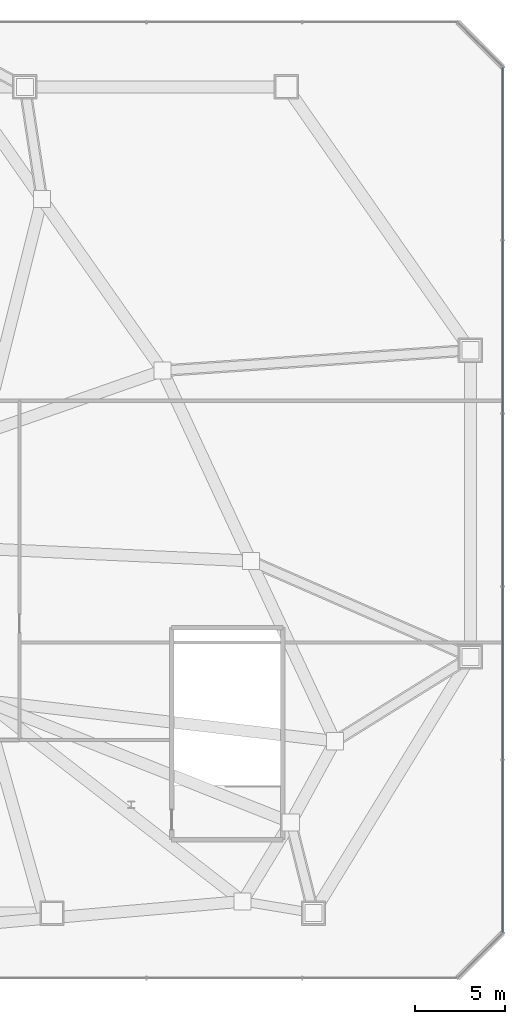
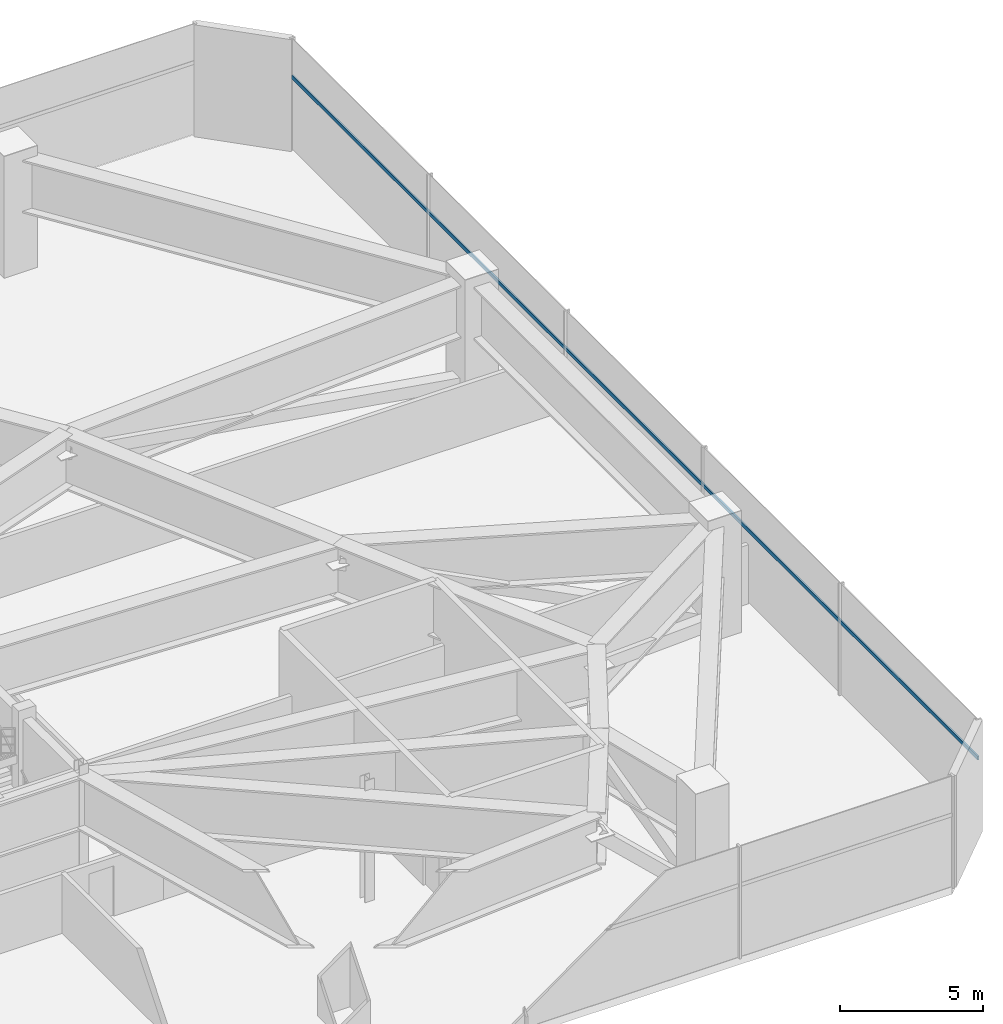
# One storey, part 18 of 29: 1 member, 1 element without a shape of its own.
"""IFC4 building model written with IfcOpenShell, lengths in metres."""

from ifc_helpers import new_model, si_unit, direction, frame, origin, origin_2d, place, context, subcontext, project, spatial, rectangle, extrude, source, transform, mapped, material, layer, layer_set, material_profile, profile_set, type_object, type_shapes, element, aggregate, save


model = new_model("IFC4")

# Units and contexts
model_context = context("Model", 3, precision=1e-05, world=origin(), true_north=direction((0.0, 1.0)))
body_context = subcontext(model_context, "Body", "Model", "MODEL_VIEW")
ifc_project = project(units=[si_unit("LENGTHUNIT", "METRE"), si_unit("AREAUNIT", "SQUARE_METRE"), si_unit("VOLUMEUNIT", "CUBIC_METRE"), si_unit("PLANEANGLEUNIT", "RADIAN"), si_unit("MASSUNIT", "GRAM", prefix="KILO")], contexts=[model_context])

# Site, building, storey
site_placement = place(None, origin())
site = spatial("IfcSite", under=ifc_project, at=site_placement, CompositionType="ELEMENT")
building_placement = place(site_placement, origin())
building = spatial("IfcBuilding", under=site, at=building_placement, Name="Varakhsha Concourse Tower", CompositionType="ELEMENT")
storey_placement = place(building_placement, frame((0.0, 0.0, 22.0)))
storey = spatial("IfcBuildingStorey", under=building, at=storey_placement, Name="L05", CompositionType="ELEMENT", Elevation=22.0)

# Curtain wall, member
ifc_material = material(Name="Anodised Bronze Architectural Aluminium AA 6063-T6", Category="aluminium")
ifc_layer = layer(ifc_material, 0.260009765625, Name="CW-SYS-06")
ifc_layer_set = layer_set([ifc_layer], Name="Anodised Bronze Architectural Aluminium AA 6063-T6")
curtain_wall_type = type_object("IfcCurtainWallType", Name="CW-SYS-06", PredefinedType="NOTDEFINED", material=ifc_layer_set)
curtain_wall_placement = place(storey_placement, origin())
curtain_wall = element("IfcCurtainWall", 1, at=curtain_wall_placement, inside=storey, type_object=curtain_wall_type, Name="L05 Podium Curtain Wall 03", PredefinedType="NOTDEFINED")
ifc_material_profile = material_profile(ifc_material, rectangle(XDim=0.06494140625, YDim=0.159912109375, at=origin_2d()), Name="CWT-160X65")
ifc_profile_set = profile_set([ifc_material_profile], Name="Anodised Bronze Architectural Aluminium AA 6063-T6")
member_type = type_object("IfcMemberType", Name="CWT-160X65", PredefinedType="USERDEFINED", material=ifc_profile_set)
shared_shape = source(origin(), body_context, "Body", "SweptSolid", [
    extrude(rectangle(XDim=0.06494140625, YDim=0.159912109375, at=origin_2d()), origin(), (0.0, 0.0, 1.0), 48.0),
])
type_shapes(member_type, [shared_shape])
member_placement = place(storey_placement, frame((77.0, 3.5, 3.10009765625), z_axis=(0.0, 1.0, 0.0), x_axis=(-1.0, 0.0, 0.0)))
member = element("IfcMember", 2, at=member_placement, type_object=member_type, Name="CW-POD-L05-03 Transom 01", ObjectType="TRANSOM", PredefinedType="USERDEFINED", context=body_context, shape_type="MappedRepresentation", body=[
    mapped(shared_shape, transform((0.0, 0.0, 0.0), scale=1.0)),
])
aggregate(curtain_wall, [member])

save(model, "model.ifc")
